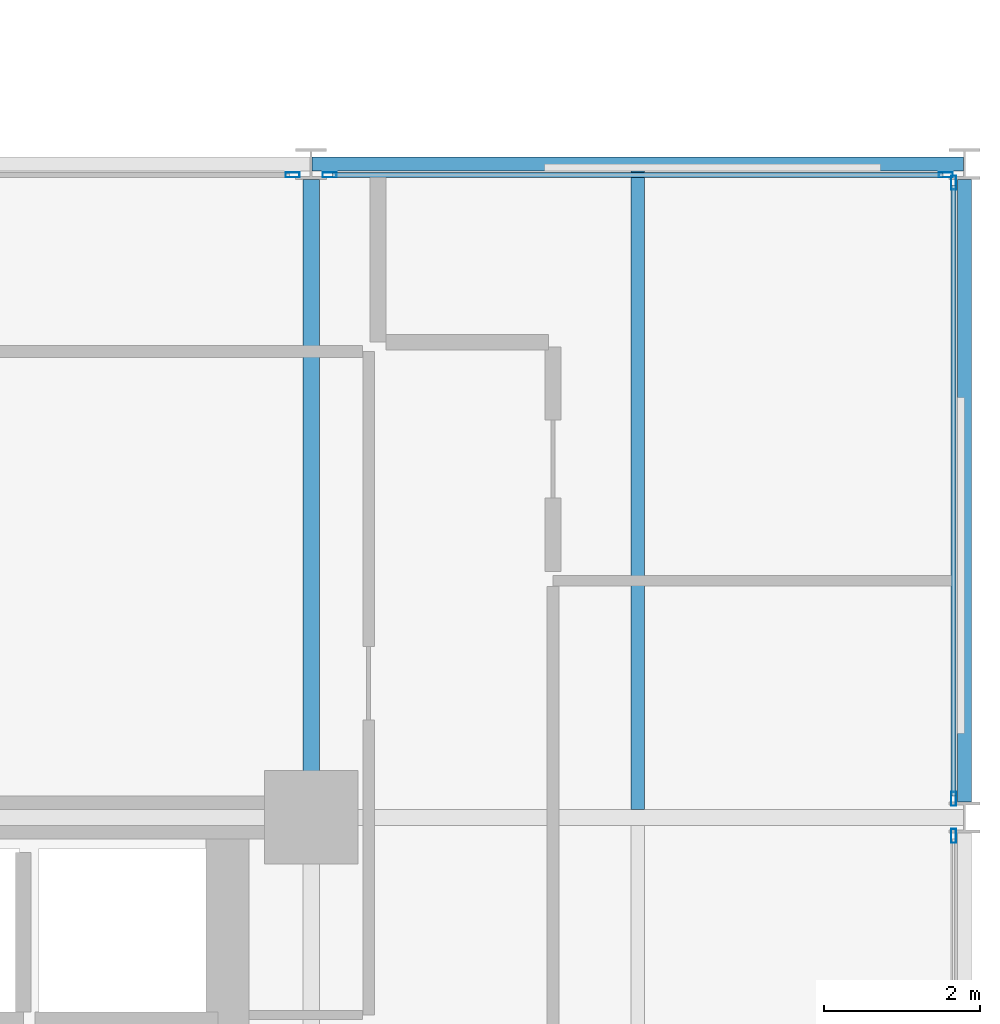
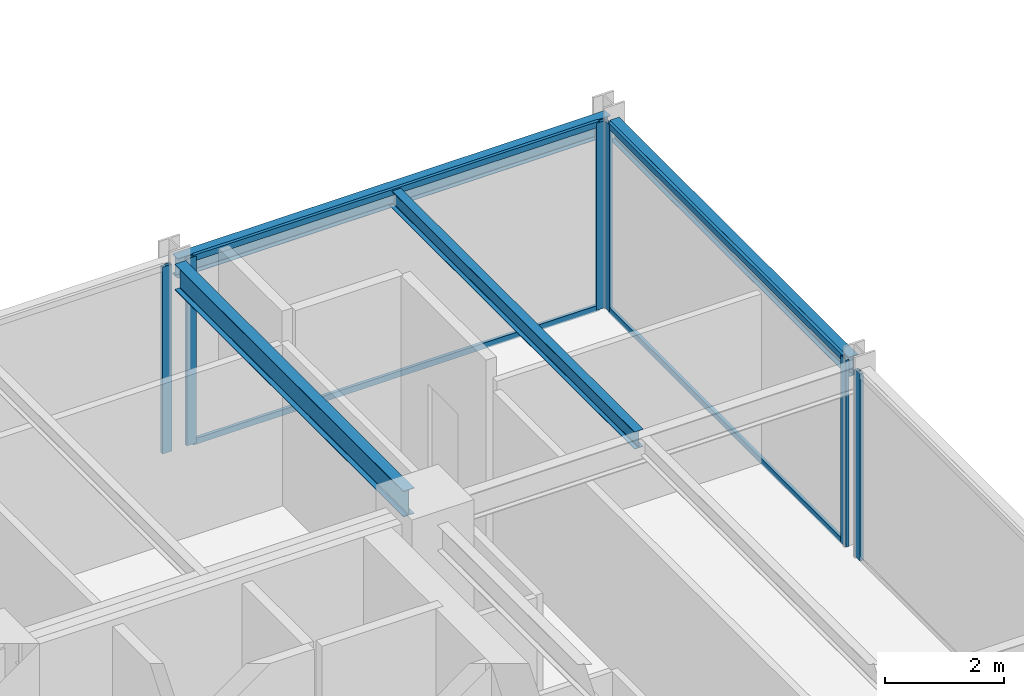
# One storey, part 15 of 29: 10 members, 4 beams, 4 elements without a shape of their own.
"""IFC4 building model written with IfcOpenShell, lengths in metres."""

from ifc_helpers import new_model, si_unit, direction, frame, origin, origin_2d, place, context, subcontext, project, spatial, hollow_rectangle, i_section, extrude, material, layer, layer_set, material_profile, profile_set, type_object, element, aggregate, save


model = new_model("IFC4")

# Units and contexts
model_context = context("Model", 3, precision=1e-05, world=origin(), true_north=direction((0.0, 1.0)))
body_context = subcontext(model_context, "Body", "Model", "MODEL_VIEW")
ifc_project = project(units=[si_unit("LENGTHUNIT", "METRE"), si_unit("AREAUNIT", "SQUARE_METRE"), si_unit("VOLUMEUNIT", "CUBIC_METRE"), si_unit("PLANEANGLEUNIT", "RADIAN"), si_unit("MASSUNIT", "GRAM", prefix="KILO")], contexts=[model_context])

# Site, building, storey
site_placement = place(None, origin())
site = spatial("IfcSite", under=ifc_project, at=site_placement, CompositionType="ELEMENT")
building_placement = place(site_placement, origin())
building = spatial("IfcBuilding", under=site, at=building_placement, Name="Nerrivon Quay Data Exchange", CompositionType="ELEMENT")
storey_placement = place(building_placement, frame((0.0, 0.0, 150.0)))
storey = spatial("IfcBuildingStorey", under=building, at=storey_placement, Name="L35", CompositionType="ELEMENT", Elevation=150.0)

# Beams
ifc_material_1 = material(Name="Steel Grade 350", Category="steel")
ifc_material_profile_1 = material_profile(ifc_material_1, i_section(OverallWidth=0.208984375, OverallDepth=0.528076171875, WebThickness=0.009521484375, FlangeThickness=0.01318359375, FilletRadius=0.013916015625, at=origin_2d()), Name="530UB82.0")
ifc_profile_set_1 = profile_set([ifc_material_profile_1], Name="Steel Grade 350")
beam_type_1 = type_object("IfcBeamType", Name="BM-G4-530UB82", PredefinedType="BEAM", material=ifc_profile_set_1)
beam_1_placement = place(storey_placement, frame((33.60009765625, 17.340087890625, 3.56103515625), z_axis=(0.0, 1.0, 0.0), x_axis=(-1.0, 0.0, 0.0)))
element("IfcBeam", 1, at=beam_1_placement, inside=storey, type_object=beam_type_1, Name="L35 NS Girder X=33.6 (16.8..25.2)", PredefinedType="BEAM", context=body_context, shape_type="SweptSolid", body=[
    extrude(i_section(OverallWidth=0.208984375, OverallDepth=0.528076171875, WebThickness=0.009521484375, FlangeThickness=0.01318359375, FilletRadius=0.013916015625, at=origin_2d()), origin(), (0.0, 0.0, 1.0), 7.659912109375),
])
ifc_material_profile_2 = material_profile(ifc_material_1, i_section(OverallWidth=0.1708984375, OverallDepth=0.35595703125, WebThickness=0.00732421875, FlangeThickness=0.011474609375, FilletRadius=0.011474609375, at=origin_2d()), Name="360UB50.7")
ifc_profile_set_2 = profile_set([ifc_material_profile_2], Name="Steel Grade 350")
beam_type_2 = type_object("IfcBeamType", Name="BM-J4-360UB51", PredefinedType="JOIST", material=ifc_profile_set_2)
beam_2_placement = place(storey_placement, frame((37.800048828125, 16.904541015625, 3.64697265625), z_axis=(0.0, 1.0, 0.0), x_axis=(-1.0, 0.0, 0.0)))
element("IfcBeam", 2, at=beam_2_placement, inside=storey, type_object=beam_type_2, Name="L35 Secondary Joist X=37.8 (16.8..25.2)", PredefinedType="JOIST", context=body_context, shape_type="SweptSolid", body=[
    extrude(i_section(OverallWidth=0.1708984375, OverallDepth=0.35595703125, WebThickness=0.00732421875, FlangeThickness=0.011474609375, FilletRadius=0.011474609375, at=origin_2d()), origin(), (0.0, 0.0, 1.0), 8.20654296875),
])
ifc_material_profile_3 = material_profile(ifc_material_1, i_section(OverallWidth=0.177978515625, OverallDepth=0.403076171875, WebThickness=0.007568359375, FlangeThickness=0.010986328125, FilletRadius=0.011474609375, at=origin_2d()), Name="410UB53.7")
ifc_profile_set_3 = profile_set([ifc_material_profile_3], Name="Steel Grade 350")
beam_type_3 = type_object("IfcBeamType", Name="BM-SP2-410UB54", PredefinedType="SPANDREL", material=ifc_profile_set_3)
beam_3_placement = place(storey_placement, frame((33.612548828125, 25.199951171875, 3.62353515625), z_axis=(1.0, 0.0, 0.0), x_axis=(0.0, 1.0, 0.0)))
element("IfcBeam", 3, at=beam_3_placement, inside=storey, type_object=beam_type_3, Name="L35 EW Girder Y=25.2 (33.6..42.0)", PredefinedType="SPANDREL", context=body_context, shape_type="SweptSolid", body=[
    extrude(i_section(OverallWidth=0.177978515625, OverallDepth=0.403076171875, WebThickness=0.007568359375, FlangeThickness=0.010986328125, FilletRadius=0.011474609375, at=origin_2d()), origin(), (0.0, 0.0, 1.0), 8.375),
])
beam_4_placement = place(storey_placement, frame((42.0, 17.0, 3.62353515625), z_axis=(0.0, 1.0, 0.0), x_axis=(-1.0, 0.0, 0.0)))
element("IfcBeam", 4, at=beam_4_placement, inside=storey, type_object=beam_type_3, Name="L35 NS Girder X=42.0 (16.8..25.2)", PredefinedType="SPANDREL", context=body_context, shape_type="SweptSolid", body=[
    extrude(i_section(OverallWidth=0.177978515625, OverallDepth=0.403076171875, WebThickness=0.007568359375, FlangeThickness=0.010986328125, FilletRadius=0.011474609375, at=origin_2d()), origin(), (0.0, 0.0, 1.0), 8.0),
])

# Curtain wall, member
ifc_material_2 = material(Name="Anodised aluminium 6063-T6", Category="aluminium")
ifc_layer = layer(ifc_material_2, 0.2099609375)
ifc_layer_set = layer_set([ifc_layer], Name="Anodised aluminium 6063-T6")
curtain_wall_type = type_object("IfcCurtainWallType", Name="CW-SYS-02", PredefinedType="NOTDEFINED", material=ifc_layer_set)
curtain_wall_1_placement = place(storey_placement, origin())
curtain_wall_1 = element("IfcCurtainWall", 5, at=curtain_wall_1_placement, inside=storey, type_object=curtain_wall_type, Name="L35 Unitised Curtain Wall 26", PredefinedType="NOTDEFINED")
ifc_material_profile_4 = material_profile(ifc_material_2, hollow_rectangle(XDim=0.06494140625, YDim=0.179931640625, WallThickness=0.00341796875, at=origin_2d()), Name="ALU-MULL-180x65")
ifc_profile_set_4 = profile_set([ifc_material_profile_4], Name="Anodised aluminium 6063-T6")
member_type_1 = type_object("IfcMemberType", Name="CWM-180x65", PredefinedType="MULLION", material=ifc_profile_set_4)
member_1_placement = place(storey_placement, frame((33.362548828125, 25.06005859375, 0.0), z_axis=(0.0, 0.0, 1.0), x_axis=(0.0, 1.0, 0.0)))
member_1 = element("IfcMember", 6, at=member_1_placement, type_object=member_type_1, Name="CW02 mullion 2", PredefinedType="MULLION", context=body_context, shape_type="SweptSolid", body=[
    extrude(hollow_rectangle(XDim=0.06494140625, YDim=0.179931640625, WallThickness=0.00341796875, at=origin_2d()), origin(), (0.0, 0.0, 1.0), 3.824951171875),
])
aggregate(curtain_wall_1, [member_1])

# Curtain wall, members
curtain_wall_2_placement = place(storey_placement, origin())
curtain_wall_2 = element("IfcCurtainWall", 7, at=curtain_wall_2_placement, inside=storey, type_object=curtain_wall_type, Name="L35 Unitised Curtain Wall 27", PredefinedType="NOTDEFINED")
member_2_placement = place(storey_placement, frame((33.83740234375, 25.06005859375, 0.0), z_axis=(0.0, 0.0, 1.0), x_axis=(0.0, 1.0, 0.0)))
member_2 = element("IfcMember", 8, at=member_2_placement, type_object=member_type_1, Name="CW02 mullion 1", PredefinedType="MULLION", context=body_context, shape_type="SweptSolid", body=[
    extrude(hollow_rectangle(XDim=0.06494140625, YDim=0.179931640625, WallThickness=0.00341796875, at=origin_2d()), origin(), (0.0, 0.0, 1.0), 3.824951171875),
])
member_3_placement = place(storey_placement, frame((41.762451171875, 25.06005859375, 0.0), z_axis=(0.0, 0.0, 1.0), x_axis=(0.0, 1.0, 0.0)))
member_3 = element("IfcMember", 9, at=member_3_placement, type_object=member_type_1, Name="CW02 mullion 2", PredefinedType="MULLION", context=body_context, shape_type="SweptSolid", body=[
    extrude(hollow_rectangle(XDim=0.06494140625, YDim=0.179931640625, WallThickness=0.00341796875, at=origin_2d()), origin(), (0.0, 0.0, 1.0), 3.824951171875),
])

curtain_wall_3_placement = place(storey_placement, origin())
curtain_wall_3 = element("IfcCurtainWall", 10, at=curtain_wall_3_placement, inside=storey, type_object=curtain_wall_type, Name="L35 Unitised Curtain Wall 28", PredefinedType="NOTDEFINED")
member_4_placement = place(storey_placement, frame((41.860107421875, 24.96240234375, 0.0), z_axis=(0.0, 0.0, 1.0), x_axis=(1.0, 0.0, 0.0)))
member_4 = element("IfcMember", 11, at=member_4_placement, type_object=member_type_1, Name="CW02 mullion 1", PredefinedType="MULLION", context=body_context, shape_type="SweptSolid", body=[
    extrude(hollow_rectangle(XDim=0.06494140625, YDim=0.179931640625, WallThickness=0.00341796875, at=origin_2d()), origin(), (0.0, 0.0, 1.0), 3.824951171875),
])
member_5_placement = place(storey_placement, frame((41.860107421875, 17.03759765625, 0.0), z_axis=(0.0, 0.0, 1.0), x_axis=(1.0, 0.0, 0.0)))
member_5 = element("IfcMember", 12, at=member_5_placement, type_object=member_type_1, Name="CW02 mullion 2", PredefinedType="MULLION", context=body_context, shape_type="SweptSolid", body=[
    extrude(hollow_rectangle(XDim=0.06494140625, YDim=0.179931640625, WallThickness=0.00341796875, at=origin_2d()), origin(), (0.0, 0.0, 1.0), 3.824951171875),
])

# Curtain wall, member
curtain_wall_4_placement = place(storey_placement, origin())
curtain_wall_4 = element("IfcCurtainWall", 13, at=curtain_wall_4_placement, inside=storey, type_object=curtain_wall_type, Name="L35 Unitised Curtain Wall 29", PredefinedType="NOTDEFINED")
member_6_placement = place(storey_placement, frame((41.860107421875, 16.5625, 0.0), z_axis=(0.0, 0.0, 1.0), x_axis=(1.0, 0.0, 0.0)))
member_6 = element("IfcMember", 14, at=member_6_placement, type_object=member_type_1, Name="CW02 mullion 1", PredefinedType="MULLION", context=body_context, shape_type="SweptSolid", body=[
    extrude(hollow_rectangle(XDim=0.06494140625, YDim=0.179931640625, WallThickness=0.00341796875, at=origin_2d()), origin(), (0.0, 0.0, 1.0), 3.824951171875),
])
aggregate(curtain_wall_4, [member_6])

# Member
ifc_material_profile_5 = material_profile(ifc_material_2, hollow_rectangle(XDim=0.06005859375, YDim=0.1201171875, WallThickness=0.003173828125, at=origin_2d()), Name="ALU-TRAN-120x60")
ifc_profile_set_5 = profile_set([ifc_material_profile_5], Name="Anodised aluminium 6063-T6")
member_type_2 = type_object("IfcMemberType", Name="CWT-120x60", PredefinedType="USERDEFINED", material=ifc_profile_set_5)
member_7_placement = place(storey_placement, frame((33.875, 25.06005859375, 0.032470703125), z_axis=(1.0, 0.0, 0.0), x_axis=(0.0, 1.0, 0.0)))
member_7 = element("IfcMember", 15, at=member_7_placement, type_object=member_type_2, Name="CW02 transom 1.1", ObjectType="TRANSOM", PredefinedType="USERDEFINED", context=body_context, shape_type="SweptSolid", body=[
    extrude(hollow_rectangle(XDim=0.06005859375, YDim=0.1201171875, WallThickness=0.003173828125, at=origin_2d()), origin(), (0.0, 0.0, 1.0), 7.85009765625),
])

member_8_placement = place(storey_placement, frame((33.875, 25.06005859375, 3.79248046875), z_axis=(1.0, 0.0, 0.0), x_axis=(0.0, 1.0, 0.0)))
member_8 = element("IfcMember", 16, at=member_8_placement, type_object=member_type_2, Name="CW02 transom 1.2", ObjectType="TRANSOM", PredefinedType="USERDEFINED", context=body_context, shape_type="SweptSolid", body=[
    extrude(hollow_rectangle(XDim=0.06005859375, YDim=0.1201171875, WallThickness=0.003173828125, at=origin_2d()), origin(), (0.0, 0.0, 1.0), 7.85009765625),
])

aggregate(curtain_wall_2, [member_2, member_3, member_7, member_8])

member_9_placement = place(storey_placement, frame((41.860107421875, 24.925048828125, 0.032470703125), z_axis=(0.0, -1.0, 0.0), x_axis=(1.0, 0.0, 0.0)))
member_9 = element("IfcMember", 17, at=member_9_placement, type_object=member_type_2, Name="CW02 transom 1.1", ObjectType="TRANSOM", PredefinedType="USERDEFINED", context=body_context, shape_type="SweptSolid", body=[
    extrude(hollow_rectangle(XDim=0.06005859375, YDim=0.1201171875, WallThickness=0.003173828125, at=origin_2d()), origin(), (0.0, 0.0, 1.0), 7.85009765625),
])

member_10_placement = place(storey_placement, frame((41.860107421875, 24.925048828125, 3.79248046875), z_axis=(0.0, -1.0, 0.0), x_axis=(1.0, 0.0, 0.0)))
member_10 = element("IfcMember", 18, at=member_10_placement, type_object=member_type_2, Name="CW02 transom 1.2", ObjectType="TRANSOM", PredefinedType="USERDEFINED", context=body_context, shape_type="SweptSolid", body=[
    extrude(hollow_rectangle(XDim=0.06005859375, YDim=0.1201171875, WallThickness=0.003173828125, at=origin_2d()), origin(), (0.0, 0.0, 1.0), 7.85009765625),
])

aggregate(curtain_wall_3, [member_4, member_5, member_9, member_10])

save(model, "model.ifc")
